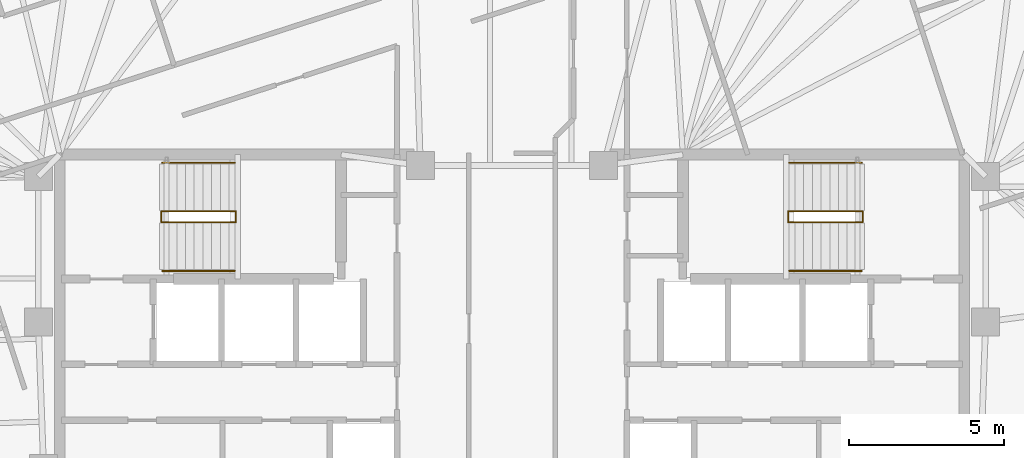
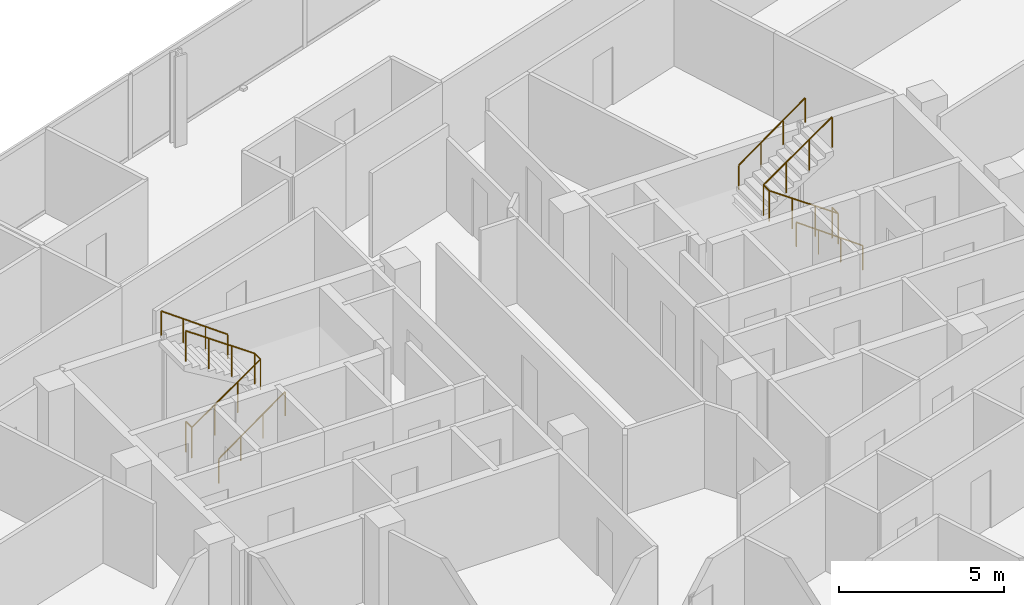
# One storey, part 19 of 19: 6 railings.
"""IFC4 building model written with IfcOpenShell, lengths in metres."""

from ifc_helpers import new_model, si_unit, direction, frame, origin, origin_2d, place, context, subcontext, project, spatial, circle, extrude, material, type_object, element, save


model = new_model("IFC4")

# Units and contexts
model_context = context("Model", 3, precision=1e-05, world=origin(), true_north=direction((0.0, 1.0)))
body_context = subcontext(model_context, "Body", "Model", "MODEL_VIEW")
ifc_project = project(units=[si_unit("LENGTHUNIT", "METRE"), si_unit("AREAUNIT", "SQUARE_METRE"), si_unit("VOLUMEUNIT", "CUBIC_METRE"), si_unit("PLANEANGLEUNIT", "RADIAN"), si_unit("MASSUNIT", "GRAM", prefix="KILO")], contexts=[model_context])

# Site, building, storey
site_placement = place(None, origin())
site = spatial("IfcSite", under=ifc_project, at=site_placement, CompositionType="ELEMENT")
building_placement = place(site_placement, origin())
building = spatial("IfcBuilding", under=site, at=building_placement, Name="Menara Jurai Vektor", CompositionType="ELEMENT")
storey_placement = place(building_placement, frame((0.0, 0.0, 241.050048828125)))
storey = spatial("IfcBuildingStorey", under=building, at=storey_placement, Name="L64", CompositionType="ELEMENT", Elevation=241.050048828125)

# Railings
ifc_material_1 = material(Name="Painted Galvanised Steel Balustrade", Category="steel")
railing_type_1 = type_object("IfcRailingType", Name="RAIL-STAIR-GUARD", PredefinedType="GUARDRAIL", material=ifc_material_1)
railing_1_placement = place(storey_placement, frame((-11.2900390625, 3.780029296875, 0.0)))
element("IfcRailing", 1, at=railing_1_placement, inside=storey, type_object=railing_type_1, Name="ST1 Stair Guardrail 1 L64", PredefinedType="GUARDRAIL", context=body_context, shape_type="SweptSolid", body=[
    extrude(circle(Radius=0.02392578125, at=origin_2d()), frame((0.0, 0.0, 1.1259765625), z_axis=(0.0, -1.0, 0.0), x_axis=(1.0, 0.0, 0.0)), (0.0, 0.0, 1.0), 0.360107421875),
    extrude(circle(Radius=0.02392578125, at=origin_2d()), frame((0.0, -0.360107421875, 1.1259765625), z_axis=(0.820042287322, 0.0, 0.572302932898), x_axis=(0.0, 1.0, 0.0)), (0.0, 0.0, 1.0), 2.9267578125),
    extrude(circle(Radius=0.02392578125, at=origin_2d()), frame((2.400146484375, -0.360107421875, 2.80078125), z_axis=(0.0, 1.0, 0.0), x_axis=(-1.0, 0.0, 0.0)), (0.0, 0.0, 1.0), 0.360107421875),
    extrude(circle(Radius=0.02392578125, at=origin_2d()), frame((2.400146484375, 0.0, 2.80078125), z_axis=(-0.820081434478, 0.0, 0.572246835573), x_axis=(0.0, -1.0, 0.0)), (0.0, 0.0, 1.0), 2.9267578125),
    extrude(circle(Radius=0.02099609375, at=origin_2d()), origin(), (0.0, 0.0, 1.0), 1.101806640625),
    extrude(circle(Radius=0.02099609375, at=origin_2d()), frame((0.0, -0.360107421875, 0.0)), (0.0, 0.0, 1.0), 1.101806640625),
    extrude(circle(Radius=0.02099609375, at=origin_2d()), frame((0.800048828125, -0.360107421875, 0.558349609375)), (0.0, 0.0, 1.0), 1.101806640625),
    extrude(circle(Radius=0.02099609375, at=origin_2d()), frame((1.60009765625, -0.360107421875, 1.11669921875)), (0.0, 0.0, 1.0), 1.101806640625),
    extrude(circle(Radius=0.02099609375, at=origin_2d()), frame((2.400146484375, -0.360107421875, 1.675048828125)), (0.0, 0.0, 1.0), 1.101806640625),
    extrude(circle(Radius=0.02099609375, at=origin_2d()), frame((2.400146484375, 0.0, 1.675048828125)), (0.0, 0.0, 1.0), 1.101806640625),
    extrude(circle(Radius=0.02099609375, at=origin_2d()), frame((1.60009765625, 0.0, 2.2333984375)), (0.0, 0.0, 1.0), 1.101806640625),
    extrude(circle(Radius=0.02099609375, at=origin_2d()), frame((0.800048828125, 0.0, 2.79150390625)), (0.0, 0.0, 1.0), 1.101806640625),
    extrude(circle(Radius=0.02099609375, at=origin_2d()), frame((0.0, 0.0, 3.349853515625)), (0.0, 0.0, 1.0), 1.101806640625),
])
railing_2_placement = place(storey_placement, frame((11.2900390625, 3.780029296875, 0.0)))
element("IfcRailing", 2, at=railing_2_placement, inside=storey, type_object=railing_type_1, Name="ST2 Stair Guardrail 1 L64", PredefinedType="GUARDRAIL", context=body_context, shape_type="SweptSolid", body=[
    extrude(circle(Radius=0.02392578125, at=origin_2d()), frame((0.0, 0.0, 1.1259765625), z_axis=(0.0, -1.0, 0.0), x_axis=(1.0, 0.0, 0.0)), (0.0, 0.0, 1.0), 0.360107421875),
    extrude(circle(Radius=0.02392578125, at=origin_2d()), frame((0.0, -0.360107421875, 1.1259765625), z_axis=(-0.820042287322, 0.0, 0.572302932898), x_axis=(0.0, -1.0, 0.0)), (0.0, 0.0, 1.0), 2.9267578125),
    extrude(circle(Radius=0.02392578125, at=origin_2d()), frame((-2.400146484375, -0.360107421875, 2.80078125), z_axis=(0.0, 1.0, 0.0), x_axis=(-1.0, 0.0, 0.0)), (0.0, 0.0, 1.0), 0.360107421875),
    extrude(circle(Radius=0.02392578125, at=origin_2d()), frame((-2.400146484375, 0.0, 2.80078125), z_axis=(0.820081434478, 0.0, 0.572246835573), x_axis=(0.0, 1.0, 0.0)), (0.0, 0.0, 1.0), 2.9267578125),
    extrude(circle(Radius=0.02099609375, at=origin_2d()), origin(), (0.0, 0.0, 1.0), 1.101806640625),
    extrude(circle(Radius=0.02099609375, at=origin_2d()), frame((0.0, -0.360107421875, 0.0)), (0.0, 0.0, 1.0), 1.101806640625),
    extrude(circle(Radius=0.02099609375, at=origin_2d()), frame((-0.800048828125, -0.360107421875, 0.558349609375)), (0.0, 0.0, 1.0), 1.101806640625),
    extrude(circle(Radius=0.02099609375, at=origin_2d()), frame((-1.60009765625, -0.360107421875, 1.11669921875)), (0.0, 0.0, 1.0), 1.101806640625),
    extrude(circle(Radius=0.02099609375, at=origin_2d()), frame((-2.400146484375, -0.360107421875, 1.675048828125)), (0.0, 0.0, 1.0), 1.101806640625),
    extrude(circle(Radius=0.02099609375, at=origin_2d()), frame((-2.400146484375, 0.0, 1.675048828125)), (0.0, 0.0, 1.0), 1.101806640625),
    extrude(circle(Radius=0.02099609375, at=origin_2d()), frame((-1.60009765625, 0.0, 2.2333984375)), (0.0, 0.0, 1.0), 1.101806640625),
    extrude(circle(Radius=0.02099609375, at=origin_2d()), frame((-0.800048828125, 0.0, 2.79150390625)), (0.0, 0.0, 1.0), 1.101806640625),
    extrude(circle(Radius=0.02099609375, at=origin_2d()), frame((0.0, 0.0, 3.349853515625)), (0.0, 0.0, 1.0), 1.101806640625),
])
ifc_material_2 = material(Name="Brushed Stainless Steel Handrail", Category="steel")
railing_type_2 = type_object("IfcRailingType", Name="RAIL-STAIR-HAND", PredefinedType="HANDRAIL", material=ifc_material_2)
railing_3_placement = place(storey_placement, frame((-11.25, 1.860107421875, 0.0)))
element("IfcRailing", 3, at=railing_3_placement, inside=storey, type_object=railing_type_2, Name="ST1 Stair Handrail 1 L64", PredefinedType="HANDRAIL", context=body_context, shape_type="SweptSolid", body=[
    extrude(circle(Radius=0.02392578125, at=origin_2d()), frame((0.0, 0.0, 0.89599609375), z_axis=(0.810771458067, 0.0, 0.585362830032), x_axis=(0.0, 1.0, 0.0)), (0.0, 0.0, 1.0), 2.861572265625),
    extrude(circle(Radius=0.02099609375, at=origin_2d()), origin(), (0.0, 0.0, 1.0), 0.871826171875),
    extrude(circle(Radius=0.02099609375, at=origin_2d()), frame((0.7734375, 0.0, 0.558349609375)), (0.0, 0.0, 1.0), 0.871826171875),
    extrude(circle(Radius=0.02099609375, at=origin_2d()), frame((1.546630859375, 0.0, 1.11669921875)), (0.0, 0.0, 1.0), 0.871826171875),
    extrude(circle(Radius=0.02099609375, at=origin_2d()), frame((2.320068359375, 0.0, 1.675048828125)), (0.0, 0.0, 1.0), 0.871826171875),
])
railing_4_placement = place(storey_placement, frame((-8.929931640625, 5.340087890625, 1.675048828125)))
element("IfcRailing", 4, at=railing_4_placement, inside=storey, type_object=railing_type_2, Name="ST1 Stair Handrail 2 L64", PredefinedType="HANDRAIL", context=body_context, shape_type="SweptSolid", body=[
    extrude(circle(Radius=0.02392578125, at=origin_2d()), frame((0.0, 0.0, 0.89599609375), z_axis=(-0.810811949412, 0.0, 0.585306742393), x_axis=(0.0, -1.0, 0.0)), (0.0, 0.0, 1.0), 2.861328125),
    extrude(circle(Radius=0.02099609375, at=origin_2d()), origin(), (0.0, 0.0, 1.0), 0.871826171875),
    extrude(circle(Radius=0.02099609375, at=origin_2d()), frame((-0.7734375, 0.0, 0.558349609375)), (0.0, 0.0, 1.0), 0.871826171875),
    extrude(circle(Radius=0.02099609375, at=origin_2d()), frame((-1.546630859375, 0.0, 1.116455078125)), (0.0, 0.0, 1.0), 0.871826171875),
    extrude(circle(Radius=0.02099609375, at=origin_2d()), frame((-2.320068359375, 0.0, 1.6748046875)), (0.0, 0.0, 1.0), 0.871826171875),
])
railing_5_placement = place(storey_placement, frame((11.25, 1.860107421875, 0.0)))
element("IfcRailing", 5, at=railing_5_placement, inside=storey, type_object=railing_type_2, Name="ST2 Stair Handrail 1 L64", PredefinedType="HANDRAIL", context=body_context, shape_type="SweptSolid", body=[
    extrude(circle(Radius=0.02392578125, at=origin_2d()), frame((0.0, 0.0, 0.89599609375), z_axis=(-0.810771458067, 0.0, 0.585362830032), x_axis=(0.0, -1.0, 0.0)), (0.0, 0.0, 1.0), 2.861572265625),
    extrude(circle(Radius=0.02099609375, at=origin_2d()), origin(), (0.0, 0.0, 1.0), 0.871826171875),
    extrude(circle(Radius=0.02099609375, at=origin_2d()), frame((-0.7734375, 0.0, 0.558349609375)), (0.0, 0.0, 1.0), 0.871826171875),
    extrude(circle(Radius=0.02099609375, at=origin_2d()), frame((-1.546630859375, 0.0, 1.11669921875)), (0.0, 0.0, 1.0), 0.871826171875),
    extrude(circle(Radius=0.02099609375, at=origin_2d()), frame((-2.320068359375, 0.0, 1.675048828125)), (0.0, 0.0, 1.0), 0.871826171875),
])
railing_6_placement = place(storey_placement, frame((8.929931640625, 5.340087890625, 1.675048828125)))
element("IfcRailing", 6, at=railing_6_placement, inside=storey, type_object=railing_type_2, Name="ST2 Stair Handrail 2 L64", PredefinedType="HANDRAIL", context=body_context, shape_type="SweptSolid", body=[
    extrude(circle(Radius=0.02392578125, at=origin_2d()), frame((0.0, 0.0, 0.89599609375), z_axis=(0.810811949412, 0.0, 0.585306742393), x_axis=(0.0, 1.0, 0.0)), (0.0, 0.0, 1.0), 2.861328125),
    extrude(circle(Radius=0.02099609375, at=origin_2d()), origin(), (0.0, 0.0, 1.0), 0.871826171875),
    extrude(circle(Radius=0.02099609375, at=origin_2d()), frame((0.7734375, 0.0, 0.558349609375)), (0.0, 0.0, 1.0), 0.871826171875),
    extrude(circle(Radius=0.02099609375, at=origin_2d()), frame((1.546630859375, 0.0, 1.116455078125)), (0.0, 0.0, 1.0), 0.871826171875),
    extrude(circle(Radius=0.02099609375, at=origin_2d()), frame((2.320068359375, 0.0, 1.6748046875)), (0.0, 0.0, 1.0), 0.871826171875),
])

save(model, "model.ifc")
